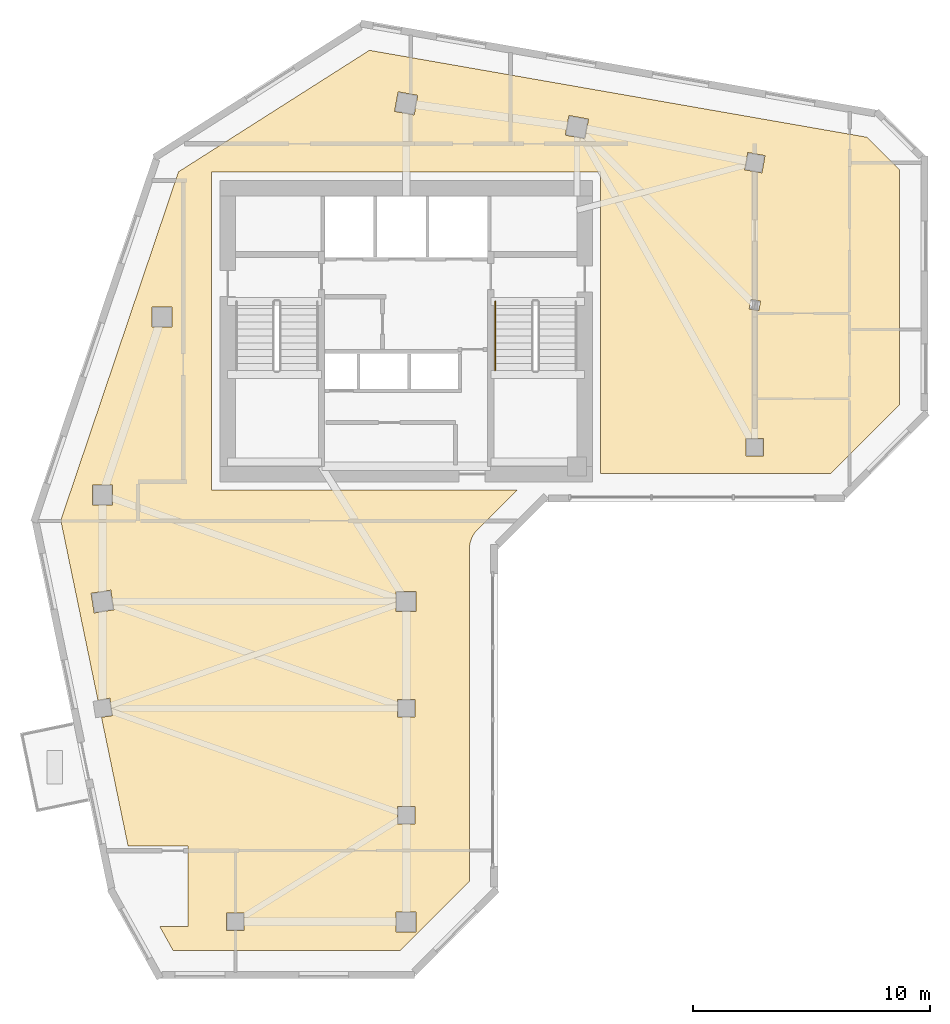
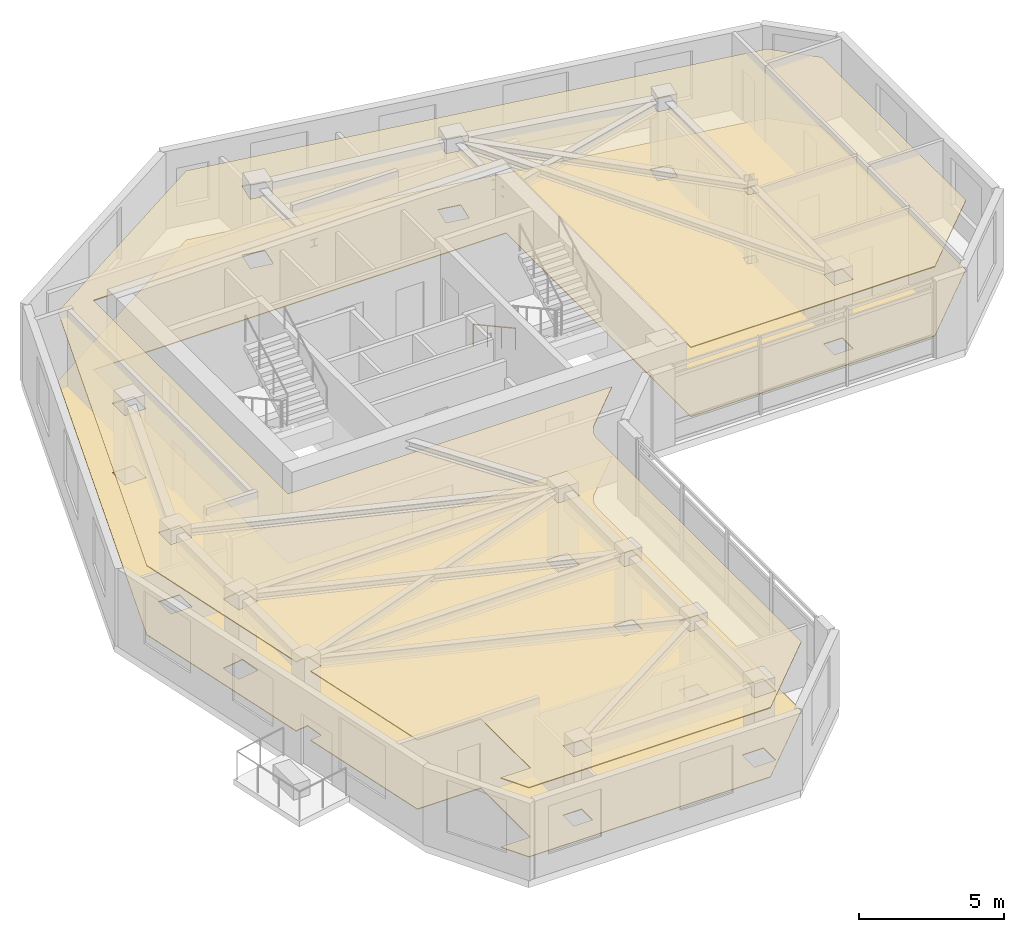
# One storey, part 8 of 9: 2 coverings, 1 railing.
"""IFC4 building model written with IfcOpenShell, lengths in metres."""

import ifcopenshell
import ifcopenshell.guid

model = None  # the IFC model being written
_history = None  # IfcOwnerHistory: only IFC2X3 demands one
_inside = {}  # id of a spatial element -> (the spatial element, [elements in it])
_under = {}  # id of a project, library or spatial element -> (it, [spatial elements below it])
_declared = {}  # id of a project -> (the project, [libraries it declares])
_typed = {}  # id of a type object -> (the type object, [elements of that type])
_made_of = {}  # id of a material, layer set ... -> (it, [elements and type objects made of it])


def new_model(schema):
    """Start an empty IFC model of exactly this schema.

    Asked for "IFC4X3", IfcOpenShell would pick the latest addendum, in which some entities
    have other attributes; the version numbers below select the first issue.
    IFC2X3 requires an IfcOwnerHistory on every rooted entity: one is made here for all.
    """
    global model, _history
    if schema == "IFC4X3":
        model = ifcopenshell.file(schema_version=(4, 3, 0, 0))
    else:
        model = ifcopenshell.file(schema=schema)
    _inside.clear()
    _under.clear()
    _declared.clear()
    _typed.clear()
    _made_of.clear()
    _history = None
    if model.schema == "IFC2X3":
        org = make("IfcOrganization", Name="unknown")
        user = make(
            "IfcPersonAndOrganization",
            ThePerson=make("IfcPerson", FamilyName="unknown"),
            TheOrganization=org,
        )
        app = make(
            "IfcApplication",
            ApplicationDeveloper=org,
            Version="unknown",
            ApplicationFullName="unknown",
            ApplicationIdentifier="unknown",
        )
        _history = make(
            "IfcOwnerHistory",
            OwningUser=user,
            OwningApplication=app,
            ChangeAction="ADDED",
            CreationDate=0,
        )
    return model


def make(cls, **values):
    """One entity of the class cls with the attributes given. An attribute that is None is left unset."""
    return model.create_entity(
        cls, **{name: value for name, value in values.items() if value is not None}
    )


def rooted(cls, **values):
    """An entity with a GlobalId (a new one), such as an element, a storey or a relation."""
    return make(cls, GlobalId=ifcopenshell.guid.new(), OwnerHistory=_history, **values)


def si_unit(unit_type, name, prefix=None):
    """IfcSIUnit, for example si_unit("LENGTHUNIT", "METRE", prefix="MILLI")."""
    return make("IfcSIUnit", UnitType=unit_type, Prefix=prefix, Name=name)


def assignment(units):
    """IfcUnitAssignment: the units of a project."""
    return None if units is None else make("IfcUnitAssignment", Units=units)


def point(xyz):
    """IfcCartesianPoint."""
    return None if xyz is None else make("IfcCartesianPoint", Coordinates=xyz)


def direction(xyz):
    """IfcDirection."""
    return None if xyz is None else make("IfcDirection", DirectionRatios=xyz)


def frame(location, z_axis=None, x_axis=None):
    """IfcAxis2Placement3D, a coordinate frame: its origin and axes. An axis left out is left unset."""
    return make(
        "IfcAxis2Placement3D",
        Location=point(location),
        Axis=direction(z_axis),
        RefDirection=direction(x_axis),
    )


def frame_2d(location, x_axis=None):
    """IfcAxis2Placement2D, a coordinate frame in the plane: its origin and x axis."""
    return make(
        "IfcAxis2Placement2D", Location=point(location), RefDirection=direction(x_axis)
    )


def origin():
    """The frame at (0, 0, 0) with its axes left unset."""
    return frame((0.0, 0.0, 0.0))


def origin_2d():
    """The frame at (0, 0) in the plane with its x axis left unset."""
    return frame_2d((0.0, 0.0))


def place(relative_to, where):
    """IfcLocalPlacement: puts the frame where relative to a parent placement (None: the world)."""
    return make(
        "IfcLocalPlacement", PlacementRelTo=relative_to, RelativePlacement=where
    )


def context(
    kind, dimensions, precision=None, world=None, true_north=None, identifier=None
):
    """IfcGeometricRepresentationContext, for example the 3D "Model" context."""
    return make(
        "IfcGeometricRepresentationContext",
        ContextIdentifier=identifier,
        ContextType=kind,
        CoordinateSpaceDimension=dimensions,
        Precision=precision,
        WorldCoordinateSystem=world,
        TrueNorth=true_north,
    )


def subcontext(parent, identifier, kind, view, scale=None):
    """IfcGeometricRepresentationSubContext, for example "Body" below "Model"."""
    return make(
        "IfcGeometricRepresentationSubContext",
        ContextIdentifier=identifier,
        ContextType=kind,
        ParentContext=parent,
        TargetScale=scale,
        TargetView=view,
    )


def project(units=None, contexts=None):
    """IfcProject with its units and contexts."""
    return rooted(
        "IfcProject",
        Name="project",
        RepresentationContexts=contexts,
        UnitsInContext=assignment(units),
    )


def spatial(cls, under=None, at=None, **own):
    """A site, building, storey or space (cls), placed at a placement, below another one or the project."""
    s = rooted(cls, ObjectPlacement=at, **own)
    if under is not None:
        _under.setdefault(under.id(), (under, []))[1].append(s)
    return s


def polyline(points):
    """IfcPolyline through the points."""
    return make("IfcPolyline", Points=[point(p) for p in points])


def profile(cls, at=None, kind="AREA", **sizes):
    """A parametric profile (cls). Its sizes go by their IFC names, for example OverallWidth=200.0."""
    return make(cls, ProfileType=kind, Position=at, **sizes)


def circle(**sizes):
    """IfcCircleProfileDef."""
    return profile("IfcCircleProfileDef", **sizes)


def outline(outer, holes=None, kind="AREA"):
    """IfcArbitraryClosedProfileDef: a profile drawn as a closed curve; with holes, ...WithVoids."""
    if holes is None:
        return make("IfcArbitraryClosedProfileDef", ProfileType=kind, OuterCurve=outer)
    return make(
        "IfcArbitraryProfileDefWithVoids",
        ProfileType=kind,
        OuterCurve=outer,
        InnerCurves=holes,
    )


def extrude(swept, where, along, depth):
    """IfcExtrudedAreaSolid: the profile swept, set in the frame where, extruded along a direction by depth."""
    return make(
        "IfcExtrudedAreaSolid",
        SweptArea=swept,
        Position=where,
        ExtrudedDirection=direction(along),
        Depth=depth,
    )


def shape(context_of_items, identifier, shape_type, items):
    """IfcShapeRepresentation: the items that make up one representation, for example the "Body"."""
    return make(
        "IfcShapeRepresentation",
        ContextOfItems=context_of_items,
        RepresentationIdentifier=identifier,
        RepresentationType=shape_type,
        Items=items,
    )


def material(Name=None, Category=None):
    """IfcMaterial."""
    return make("IfcMaterial", Name=Name, Category=Category)


def layer(
    of_material, thickness, ventilated=None, Name=None, Category=None, Priority=None
):
    """IfcMaterialLayer: one layer of a wall or slab, of a material (None: an air gap)."""
    return make(
        "IfcMaterialLayer",
        Material=of_material,
        LayerThickness=thickness,
        IsVentilated=ventilated,
        Name=Name,
        Category=Category,
        Priority=Priority,
    )


def layer_set(layers, Name=None):
    """IfcMaterialLayerSet."""
    return make("IfcMaterialLayerSet", MaterialLayers=layers, LayerSetName=Name)


def made_of(thing, what):
    """Note that an element or type object is made of a material, layer set ...; save() writes the relation."""
    if what is not None:
        _made_of.setdefault(what.id(), (what, []))[1].append(thing)
    return thing


def type_object(cls, material=None, **own):
    """A type object (cls), such as IfcWallType, which elements share."""
    return made_of(rooted(cls, **own), material)


def element(
    cls,
    number,
    at=None,
    inside=None,
    cuts=None,
    type_object=None,
    material=None,
    context=None,
    identifier="Body",
    shape_type=None,
    held_by="IfcProductDefinitionShape",
    body=None,
    shapes=None,
    **own,
):
    """One element of the class cls, such as IfcWall. Its Tag is "e" and its number.

    at: its placement. inside: the storey or other place that contains it. cuts: it is an
    opening in that element (IfcRelVoidsElement). A single representation is given by context,
    identifier, shape_type and body (its items); several are given by shapes. held_by: the class
    of the entity that holds the representations. save() writes the other relations.
    """
    e = rooted(cls, Tag="e%d" % number, ObjectPlacement=at, **own)
    if body is not None:
        shapes = [shape(context, identifier, shape_type, body)]
    if shapes is not None:
        e.Representation = make(held_by, Representations=shapes)
    if inside is not None:
        _inside.setdefault(inside.id(), (inside, []))[1].append(e)
    if cuts is not None:
        rooted(
            "IfcRelVoidsElement", RelatingBuildingElement=cuts, RelatedOpeningElement=e
        )
    if type_object is not None:
        _typed.setdefault(type_object.id(), (type_object, []))[1].append(e)
    return made_of(e, material)


def aggregate(whole, parts):
    """IfcRelAggregates: a whole, such as a stair, and the parts it consists of."""
    return rooted("IfcRelAggregates", RelatingObject=whole, RelatedObjects=parts)


def save(model, path):
    """Write the relations noted so far, then the file.

    IfcRelAggregates (storeys below a building ...), IfcRelContainedInSpatialStructure (elements
    in a storey), IfcRelDefinesByType, IfcRelAssociatesMaterial and IfcRelDeclares: one each for
    every whole, place, type object, material and project.
    """
    for whole, parts in _under.values():
        aggregate(whole, parts)
    for where, things in _inside.values():
        rooted(
            "IfcRelContainedInSpatialStructure",
            RelatedElements=things,
            RelatingStructure=where,
        )
    for kind, things in _typed.values():
        rooted("IfcRelDefinesByType", RelatedObjects=things, RelatingType=kind)
    for what, things in _made_of.values():
        rooted("IfcRelAssociatesMaterial", RelatedObjects=things, RelatingMaterial=what)
    for by, libraries in _declared.values():
        rooted("IfcRelDeclares", RelatingContext=by, RelatedDefinitions=libraries)
    model.write(path)


model = new_model("IFC4")

# Units and contexts
model_context = context("Model", 3, precision=1e-05, world=origin(), true_north=direction((0.0, 1.0)))
body_context = subcontext(model_context, "Body", "Model", "MODEL_VIEW")
ifc_project = project(units=[si_unit("LENGTHUNIT", "METRE"), si_unit("AREAUNIT", "SQUARE_METRE"), si_unit("VOLUMEUNIT", "CUBIC_METRE"), si_unit("PLANEANGLEUNIT", "RADIAN"), si_unit("MASSUNIT", "GRAM", prefix="KILO")], contexts=[model_context])

# Site, building, storey
site_placement = place(None, origin())
site = spatial("IfcSite", under=ifc_project, at=site_placement, CompositionType="ELEMENT")
building_placement = place(site_placement, origin())
building = spatial("IfcBuilding", under=site, at=building_placement, Name="Calvemar Wedge Station Tower", CompositionType="ELEMENT")
storey_placement = place(building_placement, frame((0.0, 0.0, 211.39990234375)))
storey = spatial("IfcBuildingStorey", under=building, at=storey_placement, Name="L53", CompositionType="ELEMENT", Elevation=211.39990234375)

# Coverings
ifc_material_1 = material(Name="Acoustic mineral fibre ceiling board")
ifc_layer_1 = layer(ifc_material_1, 0.0400390625)
ifc_layer_set_1 = layer_set([ifc_layer_1], Name="Acoustic mineral fibre ceiling board")
covering_type_1 = type_object("IfcCoveringType", Name="COV-CEIL-ACOUSTIC", PredefinedType="CEILING", material=ifc_layer_set_1)
covering_1_placement = place(storey_placement, frame((0.0, 0.0, 2.900146484375)))
element("IfcCovering", 1, at=covering_1_placement, inside=storey, type_object=covering_type_1, Name="Storey L53 Acoustic Suspended Ceiling", PredefinedType="CEILING", context=body_context, shape_type="SweptSolid", body=[
    extrude(outline(polyline([(26.666259765625, 31.358642578125), (26.736328125, 31.453369140625), (26.8154296875, 31.54052734375), (28.474853515625, 33.199951171875), (15.60009765625, 33.199951171875), (15.60009765625, 46.60009765625), (32.0, 46.60009765625), (32.0, 33.89208984375), (41.702880859375, 33.89208984375), (44.60009765625, 36.7890625), (44.60009765625, 46.69482421875), (43.2197265625, 48.0751953125), (22.251708984375, 51.73779296875), (14.201416015625, 46.614990234375), (9.240966796875, 31.92431640625), (10.806884765625, 24.34375), (11.306884765625, 24.423828125), (11.423828125, 23.693115234375), (10.956787109375, 23.618408203125), (12.076171875, 18.199951171875), (14.60009765625, 18.199951171875), (14.60009765625, 14.800048828125), (13.41455078125, 14.800048828125), (13.97021484375, 13.800048828125), (23.56689453125, 13.800048828125), (26.464111328125, 16.697021484375), (26.464111328125, 30.69189453125), (26.4697265625, 30.8095703125), (26.487060546875, 30.926025390625), (26.515625, 31.040283203125), (26.555419921875, 31.151123046875), (26.605712890625, 31.2578125), (26.666259765625, 31.358642578125)]), holes=[polyline([(11.419921875, 33.419921875), (11.419921875, 32.580078125), (10.580078125, 32.580078125), (10.580078125, 33.419921875), (11.419921875, 33.419921875)]), polyline([(13.919921875, 40.080078125), (13.080078125, 40.080078125), (13.080078125, 40.919921875), (13.919921875, 40.919921875), (13.919921875, 40.080078125)]), polyline([(23.312255859375, 49.160888671875), (23.4609375, 49.98779296875), (24.28759765625, 49.839111328125), (24.138916015625, 49.01220703125), (23.312255859375, 49.160888671875)]), polyline([(30.660888671875, 48.98779296875), (31.48779296875, 48.839111328125), (31.339111328125, 48.01220703125), (30.51220703125, 48.160888671875), (30.660888671875, 48.98779296875)]), polyline([(38.9296875, 47.298583984375), (38.798583984375, 46.5703125), (38.0703125, 46.701416015625), (38.201416015625, 47.4296875), (38.9296875, 47.298583984375)]), polyline([(38.8701171875, 34.6298828125), (38.1298828125, 34.6298828125), (38.1298828125, 35.3701171875), (38.8701171875, 35.3701171875), (38.8701171875, 34.6298828125)]), polyline([(38.259765625, 40.833984375), (38.332763671875, 41.239501953125), (38.740234375, 41.166015625), (38.667236328125, 40.760498046875), (38.259765625, 40.833984375)]), polyline([(11.348388671875, 28.981201171875), (11.481201171875, 28.151611328125), (10.651611328125, 28.018798828125), (10.518798828125, 28.848388671875), (11.348388671875, 28.981201171875)]), polyline([(24.219970703125, 28.080078125), (23.3798828125, 28.080078125), (23.3798828125, 28.919921875), (24.219970703125, 28.919921875), (24.219970703125, 28.080078125)]), polyline([(23.429931640625, 23.6298828125), (23.429931640625, 24.3701171875), (24.169921875, 24.3701171875), (24.169921875, 23.6298828125), (23.429931640625, 23.6298828125)]), polyline([(23.429931640625, 19.8701171875), (24.169921875, 19.8701171875), (24.169921875, 19.1298828125), (23.429931640625, 19.1298828125), (23.429931640625, 19.8701171875)]), polyline([(24.219970703125, 15.419921875), (24.219970703125, 14.580078125), (23.3798828125, 14.580078125), (23.3798828125, 15.419921875), (24.219970703125, 15.419921875)]), polyline([(16.969970703125, 14.6298828125), (16.22998046875, 14.6298828125), (16.22998046875, 15.3701171875), (16.969970703125, 15.3701171875), (16.969970703125, 14.6298828125)])]), origin(), (0.0, 0.0, 1.0), 0.0400390625),
])
ifc_material_2 = material(Name="Honed coastal granite stone tile", Category="masonry")
ifc_layer_2 = layer(ifc_material_2, 0.030029296875)
ifc_layer_set_2 = layer_set([ifc_layer_2], Name="Honed coastal granite stone tile")
covering_type_2 = type_object("IfcCoveringType", Name="COV-FLR-STONE", PredefinedType="FLOORING", material=ifc_layer_set_2)
covering_2_placement = place(storey_placement, origin())
element("IfcCovering", 2, at=covering_2_placement, inside=storey, type_object=covering_type_2, Name="Storey L53 Architectural Floor Finish", PredefinedType="FLOORING", context=body_context, shape_type="SweptSolid", body=[
    extrude(outline(polyline([(26.666259765625, 31.358642578125), (26.736328125, 31.453369140625), (26.8154296875, 31.54052734375), (28.474853515625, 33.199951171875), (15.60009765625, 33.199951171875), (15.60009765625, 46.60009765625), (32.0, 46.60009765625), (32.0, 33.89208984375), (41.702880859375, 33.89208984375), (44.60009765625, 36.7890625), (44.60009765625, 46.69482421875), (43.2197265625, 48.0751953125), (22.251708984375, 51.73779296875), (14.201416015625, 46.614990234375), (9.240966796875, 31.92431640625), (10.806884765625, 24.34375), (11.306884765625, 24.423828125), (11.423828125, 23.693115234375), (10.956787109375, 23.618408203125), (12.076171875, 18.199951171875), (14.60009765625, 18.199951171875), (14.60009765625, 14.800048828125), (13.41455078125, 14.800048828125), (13.97021484375, 13.800048828125), (23.56689453125, 13.800048828125), (26.464111328125, 16.697021484375), (26.464111328125, 30.69189453125), (26.4697265625, 30.8095703125), (26.487060546875, 30.926025390625), (26.515625, 31.040283203125), (26.555419921875, 31.151123046875), (26.605712890625, 31.2578125), (26.666259765625, 31.358642578125)]), holes=[polyline([(11.419921875, 33.419921875), (11.419921875, 32.580078125), (10.580078125, 32.580078125), (10.580078125, 33.419921875), (11.419921875, 33.419921875)]), polyline([(13.919921875, 40.080078125), (13.080078125, 40.080078125), (13.080078125, 40.919921875), (13.919921875, 40.919921875), (13.919921875, 40.080078125)]), polyline([(23.312255859375, 49.160888671875), (23.4609375, 49.98779296875), (24.28759765625, 49.839111328125), (24.138916015625, 49.01220703125), (23.312255859375, 49.160888671875)]), polyline([(30.660888671875, 48.98779296875), (31.48779296875, 48.839111328125), (31.339111328125, 48.01220703125), (30.51220703125, 48.160888671875), (30.660888671875, 48.98779296875)]), polyline([(38.9296875, 47.298583984375), (38.798583984375, 46.5703125), (38.0703125, 46.701416015625), (38.201416015625, 47.4296875), (38.9296875, 47.298583984375)]), polyline([(38.8701171875, 34.6298828125), (38.1298828125, 34.6298828125), (38.1298828125, 35.3701171875), (38.8701171875, 35.3701171875), (38.8701171875, 34.6298828125)]), polyline([(38.259765625, 40.833984375), (38.332763671875, 41.239501953125), (38.740234375, 41.166015625), (38.667236328125, 40.760498046875), (38.259765625, 40.833984375)]), polyline([(11.348388671875, 28.981201171875), (11.481201171875, 28.151611328125), (10.651611328125, 28.018798828125), (10.518798828125, 28.848388671875), (11.348388671875, 28.981201171875)]), polyline([(24.219970703125, 28.080078125), (23.3798828125, 28.080078125), (23.3798828125, 28.919921875), (24.219970703125, 28.919921875), (24.219970703125, 28.080078125)]), polyline([(23.429931640625, 23.6298828125), (23.429931640625, 24.3701171875), (24.169921875, 24.3701171875), (24.169921875, 23.6298828125), (23.429931640625, 23.6298828125)]), polyline([(23.429931640625, 19.8701171875), (24.169921875, 19.8701171875), (24.169921875, 19.1298828125), (23.429931640625, 19.1298828125), (23.429931640625, 19.8701171875)]), polyline([(24.219970703125, 15.419921875), (24.219970703125, 14.580078125), (23.3798828125, 14.580078125), (23.3798828125, 15.419921875), (24.219970703125, 15.419921875)]), polyline([(16.969970703125, 14.6298828125), (16.22998046875, 14.6298828125), (16.22998046875, 15.3701171875), (16.969970703125, 15.3701171875), (16.969970703125, 14.6298828125)])]), origin(), (0.0, 0.0, 1.0), 0.030029296875),
])

# Railing
ifc_material_3 = material(Name="Stainless steel AISI 316L", Category="steel")
railing_type = type_object("IfcRailingType", Name="RL-HANDRAIL-920", PredefinedType="HANDRAIL", material=ifc_material_3)
railing_placement = place(storey_placement, frame((27.550048828125, 41.14990234375, 0.1591796875)))
element("IfcRailing", 3, at=railing_placement, inside=storey, type_object=railing_type, Name="L53 ST-C2 stair handrail 1", PredefinedType="HANDRAIL", context=body_context, shape_type="SweptSolid", body=[
    extrude(circle(Radius=0.02392578125, at=origin_2d()), frame((0.0, 0.0, 0.89599609375), z_axis=(0.0, -0.876742130028, 0.480960744171), x_axis=(1.0, 0.0, 0.0)), (0.0, 0.0, 1.0), 3.3076171875),
    extrude(circle(Radius=0.02099609375, at=origin_2d()), origin(), (0.0, 0.0, 1.0), 0.871826171875),
    extrude(circle(Radius=0.02099609375, at=origin_2d()), frame((0.0, -0.966552734375, 0.5302734375)), (0.0, 0.0, 1.0), 0.871826171875),
    extrude(circle(Radius=0.02099609375, at=origin_2d()), frame((0.0, -1.933349609375, 1.060546875)), (0.0, 0.0, 1.0), 0.871826171875),
    extrude(circle(Radius=0.02099609375, at=origin_2d()), frame((0.0, -2.89990234375, 1.5908203125)), (0.0, 0.0, 1.0), 0.871826171875),
])

save(model, "model.ifc")
